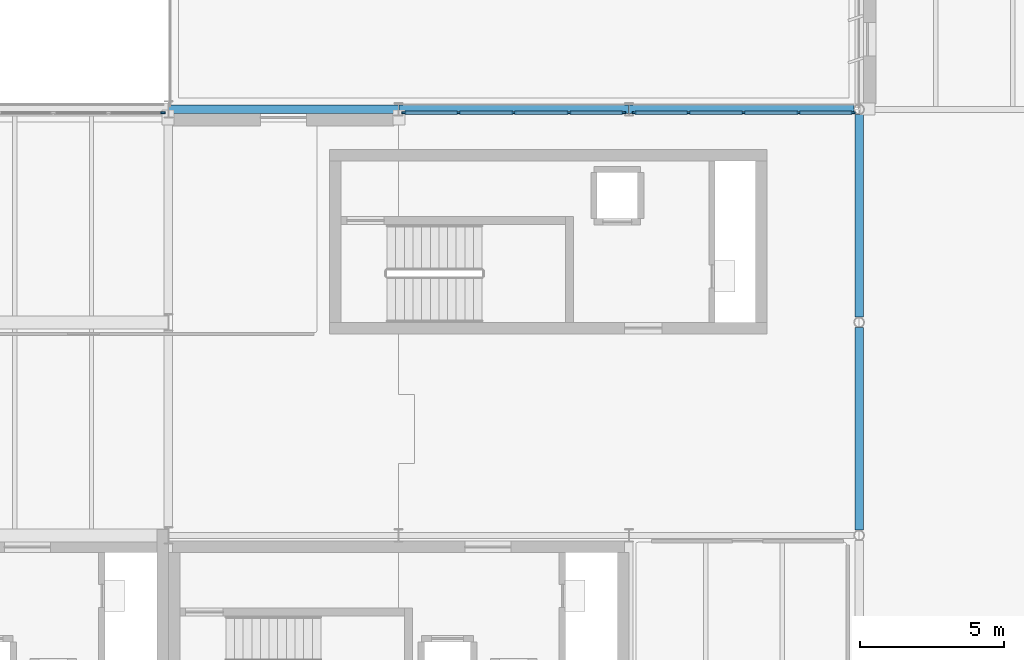
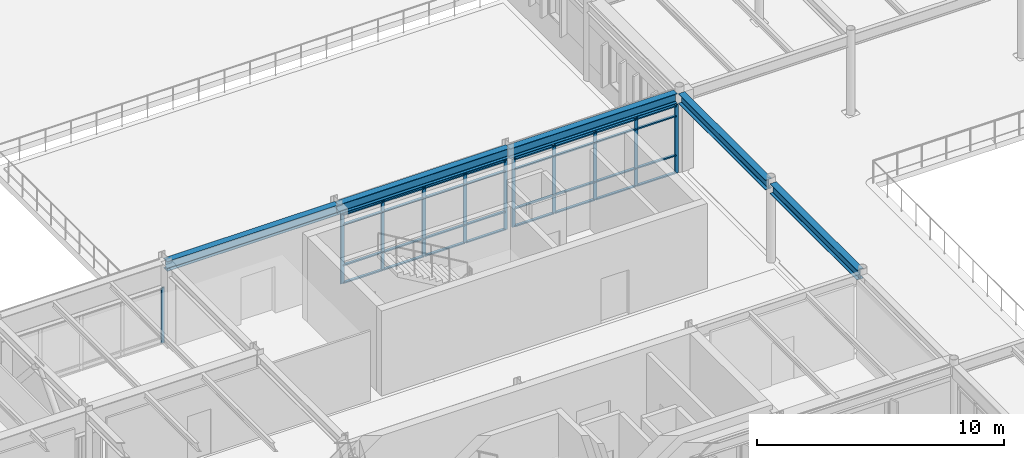
# One storey, part 19 of 63: 43 members, 5 beams, 3 elements without a shape of their own.
"""IFC4 building model written with IfcOpenShell, lengths in metres."""

from ifc_helpers import new_model, si_unit, direction, frame, origin, origin_2d, place, context, subcontext, project, spatial, rectangle, i_section, extrude, material, layer, layer_set, material_profile, profile_set, type_object, element, aggregate, save


model = new_model("IFC4")

# Units and contexts
model_context = context("Model", 3, precision=1e-05, world=origin(), true_north=direction((0.0, 1.0)))
body_context = subcontext(model_context, "Body", "Model", "MODEL_VIEW")
ifc_project = project(units=[si_unit("LENGTHUNIT", "METRE"), si_unit("AREAUNIT", "SQUARE_METRE"), si_unit("VOLUMEUNIT", "CUBIC_METRE"), si_unit("PLANEANGLEUNIT", "RADIAN"), si_unit("MASSUNIT", "GRAM", prefix="KILO")], contexts=[model_context])

# Site, building, storey
site_placement = place(None, origin())
site = spatial("IfcSite", under=ifc_project, at=site_placement, CompositionType="ELEMENT")
building_placement = place(site_placement, origin())
building = spatial("IfcBuilding", under=site, at=building_placement, Name="Valkorina Park Police Headquarters", CompositionType="ELEMENT")
storey_placement = place(building_placement, frame((0.0, 0.0, 9.89990234375)))
storey = spatial("IfcBuildingStorey", under=building, at=storey_placement, Name="L03", CompositionType="ELEMENT", Elevation=9.89990234375)

# Beams
ifc_material_1 = material(Name="Steel S355", Category="steel")
ifc_material_profile_1 = material_profile(ifc_material_1, i_section(OverallWidth=0.300048828125, OverallDepth=0.489990234375, WebThickness=0.011962890625, FlangeThickness=0.02294921875, FilletRadius=0.027099609375, at=origin_2d()), Name="HEA 500")
ifc_profile_set_1 = profile_set([ifc_material_profile_1], Name="Steel S355")
beam_type_1 = type_object("IfcBeamType", Name="BM-S355-HEA500-BM", PredefinedType="BEAM", material=ifc_profile_set_1)
for number, where, z_axis, x_axis, name in (
    (1, (56.800048828125, 44.577880859375, 3.710205078125), (0.0, 1.0, 0.0), (-1.0, 0.0, 0.0), "L03 Framing Beam 2000"),
    (2, (56.800048828125, 51.977783203125, 3.675048828125), (0.0, 1.0, 0.0), (-1.0, 0.0, 0.0), "L03 Framing Beam 2001"),
):
    element("IfcBeam", number, at=place(storey_placement, frame(where, z_axis=z_axis, x_axis=x_axis)), inside=storey, type_object=beam_type_1, Name=name, PredefinedType="BEAM", context=body_context, shape_type="SweptSolid", body=[
        extrude(i_section(OverallWidth=0.300048828125, OverallDepth=0.489990234375, WebThickness=0.011962890625, FlangeThickness=0.02294921875, FilletRadius=0.027099609375, at=origin_2d()), origin(), (0.0, 0.0, 1.0), 7.04443359375),
    ])
ifc_material_profile_2 = material_profile(ifc_material_1, i_section(OverallWidth=0.300048828125, OverallDepth=0.489990234375, WebThickness=0.011962890625, FlangeThickness=0.02294921875, FilletRadius=0.027099609375, at=origin_2d()), Name="HEA 500")
ifc_profile_set_2 = profile_set([ifc_material_profile_2], Name="Steel S355")
beam_type_2 = type_object("IfcBeamType", Name="BM-S355-HEA500-SPN", PredefinedType="SPANDREL", material=ifc_profile_set_2)
beam_1_placement = place(storey_placement, frame((32.8076171875, 59.199951171875, 3.710205078125), z_axis=(1.0, 0.0, 0.0), x_axis=(0.0, 1.0, 0.0)))
element("IfcBeam", 3, at=beam_1_placement, inside=storey, type_object=beam_type_2, Name="L03 Framing Beam 1901", PredefinedType="SPANDREL", context=body_context, shape_type="SweptSolid", body=[
    extrude(i_section(OverallWidth=0.300048828125, OverallDepth=0.489990234375, WebThickness=0.011962890625, FlangeThickness=0.02294921875, FilletRadius=0.027099609375, at=origin_2d()), origin(), (0.0, 0.0, 1.0), 7.9853515625),
])
beam_2_placement = place(storey_placement, frame((40.806884765625, 59.199951171875, 3.710205078125), z_axis=(1.0, 0.0, 0.0), x_axis=(0.0, 1.0, 0.0)))
element("IfcBeam", 4, at=beam_2_placement, inside=storey, type_object=beam_type_2, Name="L03 Framing Beam 1902", PredefinedType="SPANDREL", context=body_context, shape_type="SweptSolid", body=[
    extrude(i_section(OverallWidth=0.300048828125, OverallDepth=0.489990234375, WebThickness=0.011962890625, FlangeThickness=0.02294921875, FilletRadius=0.027099609375, at=origin_2d()), origin(), (0.0, 0.0, 1.0), 7.986083984375),
])
beam_3_placement = place(storey_placement, frame((48.806884765625, 59.199951171875, 3.675048828125), z_axis=(1.0, 0.0, 0.0), x_axis=(0.0, 1.0, 0.0)))
element("IfcBeam", 5, at=beam_3_placement, inside=storey, type_object=beam_type_2, Name="L03 Framing Beam 1903", PredefinedType="SPANDREL", context=body_context, shape_type="SweptSolid", body=[
    extrude(i_section(OverallWidth=0.300048828125, OverallDepth=0.489990234375, WebThickness=0.011962890625, FlangeThickness=0.02294921875, FilletRadius=0.027099609375, at=origin_2d()), origin(), (0.0, 0.0, 1.0), 7.8154296875),
])

# Curtain wall, member
ifc_material_2 = material(Name="Thermally broken aluminium AW-6060", Category="aluminium")
ifc_layer_1 = layer(ifc_material_2, 0.18994140625)
ifc_layer_set_1 = layer_set([ifc_layer_1], Name="Thermally broken aluminium AW-6060")
curtain_wall_type_1 = type_object("IfcCurtainWallType", Name="CW-COURT-7680x2740", PredefinedType="NOTDEFINED", material=ifc_layer_set_1)
curtain_wall_1_placement = place(storey_placement, origin())
curtain_wall_1 = element("IfcCurtainWall", 6, at=curtain_wall_1_placement, inside=storey, type_object=curtain_wall_type_1, Name="L03 Unitised Curtain Wall 017", PredefinedType="NOTDEFINED")
ifc_material_profile_3 = material_profile(ifc_material_2, rectangle(XDim=0.06005859375, YDim=0.159912109375, at=origin_2d()), Name="CWM-01 60x160")
ifc_profile_set_3 = profile_set([ifc_material_profile_3], Name="Thermally broken aluminium AW-6060")
member_type_1 = type_object("IfcMemberType", Name="CWM-60x160", PredefinedType="MULLION", material=ifc_profile_set_3)
member_1_placement = place(storey_placement, frame((32.610107421875, 59.080078125, 0.0), z_axis=(0.0, 0.0, 1.0), x_axis=(0.0, 1.0, 0.0)))
member_1 = element("IfcMember", 7, at=member_1_placement, type_object=member_type_1, Name="CW-COURT-768-274 mullion 5", PredefinedType="MULLION", context=body_context, shape_type="SweptSolid", body=[
    extrude(rectangle(XDim=0.06005859375, YDim=0.159912109375, at=origin_2d()), origin(), (0.0, 0.0, 1.0), 2.7451171875),
])
aggregate(curtain_wall_1, [member_1])

# Curtain wall, members
ifc_layer_2 = layer(ifc_material_2, 0.18994140625)
ifc_layer_set_2 = layer_set([ifc_layer_2], Name="Thermally broken aluminium AW-6060")
curtain_wall_type_2 = type_object("IfcCurtainWallType", Name="CW-COURT-7680x3420", PredefinedType="NOTDEFINED", material=ifc_layer_set_2)
curtain_wall_2_placement = place(storey_placement, origin())
curtain_wall_2 = element("IfcCurtainWall", 8, at=curtain_wall_2_placement, inside=storey, type_object=curtain_wall_type_2, Name="L03 Unitised Curtain Wall 018", PredefinedType="NOTDEFINED")
member_2_placement = place(storey_placement, frame((40.989990234375, 59.080078125, 0.0), z_axis=(0.0, 0.0, 1.0), x_axis=(0.0, 1.0, 0.0)))
member_2 = element("IfcMember", 9, at=member_2_placement, type_object=member_type_1, Name="CW-COURT-768-342 mullion 1", PredefinedType="MULLION", context=body_context, shape_type="SweptSolid", body=[
    extrude(rectangle(XDim=0.06005859375, YDim=0.159912109375, at=origin_2d()), origin(), (0.0, 0.0, 1.0), 3.420166015625),
])
member_3_placement = place(storey_placement, frame((42.8798828125, 59.080078125, 0.0), z_axis=(0.0, 0.0, 1.0), x_axis=(0.0, 1.0, 0.0)))
member_3 = element("IfcMember", 10, at=member_3_placement, type_object=member_type_1, Name="CW-COURT-768-342 mullion 2", PredefinedType="MULLION", context=body_context, shape_type="SweptSolid", body=[
    extrude(rectangle(XDim=0.06005859375, YDim=0.159912109375, at=origin_2d()), origin(), (0.0, 0.0, 1.0), 3.420166015625),
])
member_4_placement = place(storey_placement, frame((44.800048828125, 59.080078125, 0.0), z_axis=(0.0, 0.0, 1.0), x_axis=(0.0, 1.0, 0.0)))
member_4 = element("IfcMember", 11, at=member_4_placement, type_object=member_type_1, Name="CW-COURT-768-342 mullion 3", PredefinedType="MULLION", context=body_context, shape_type="SweptSolid", body=[
    extrude(rectangle(XDim=0.06005859375, YDim=0.159912109375, at=origin_2d()), origin(), (0.0, 0.0, 1.0), 3.420166015625),
])
member_5_placement = place(storey_placement, frame((46.719970703125, 59.080078125, 0.0), z_axis=(0.0, 0.0, 1.0), x_axis=(0.0, 1.0, 0.0)))
member_5 = element("IfcMember", 12, at=member_5_placement, type_object=member_type_1, Name="CW-COURT-768-342 mullion 4", PredefinedType="MULLION", context=body_context, shape_type="SweptSolid", body=[
    extrude(rectangle(XDim=0.06005859375, YDim=0.159912109375, at=origin_2d()), origin(), (0.0, 0.0, 1.0), 3.420166015625),
])
member_6_placement = place(storey_placement, frame((48.610107421875, 59.080078125, 0.0), z_axis=(0.0, 0.0, 1.0), x_axis=(0.0, 1.0, 0.0)))
member_6 = element("IfcMember", 13, at=member_6_placement, type_object=member_type_1, Name="CW-COURT-768-342 mullion 5", PredefinedType="MULLION", context=body_context, shape_type="SweptSolid", body=[
    extrude(rectangle(XDim=0.06005859375, YDim=0.159912109375, at=origin_2d()), origin(), (0.0, 0.0, 1.0), 3.420166015625),
])

ifc_layer_3 = layer(ifc_material_2, 0.18994140625)
ifc_layer_set_3 = layer_set([ifc_layer_3], Name="Thermally broken aluminium AW-6060")
curtain_wall_type_3 = type_object("IfcCurtainWallType", Name="CW-COURT-7650x3360", PredefinedType="NOTDEFINED", material=ifc_layer_set_3)
curtain_wall_3_placement = place(storey_placement, origin())
curtain_wall_3 = element("IfcCurtainWall", 14, at=curtain_wall_3_placement, inside=storey, type_object=curtain_wall_type_3, Name="L03 Unitised Curtain Wall 019", PredefinedType="NOTDEFINED")
member_7_placement = place(storey_placement, frame((48.989990234375, 59.080078125, 0.0), z_axis=(0.0, 0.0, 1.0), x_axis=(0.0, 1.0, 0.0)))
member_7 = element("IfcMember", 15, at=member_7_placement, type_object=member_type_1, Name="CW-COURT-765-336 mullion 1", PredefinedType="MULLION", context=body_context, shape_type="SweptSolid", body=[
    extrude(rectangle(XDim=0.06005859375, YDim=0.159912109375, at=origin_2d()), origin(), (0.0, 0.0, 1.0), 3.360107421875),
])
member_8_placement = place(storey_placement, frame((50.873046875, 59.080078125, 0.0), z_axis=(0.0, 0.0, 1.0), x_axis=(0.0, 1.0, 0.0)))
member_8 = element("IfcMember", 16, at=member_8_placement, type_object=member_type_1, Name="CW-COURT-765-336 mullion 2", PredefinedType="MULLION", context=body_context, shape_type="SweptSolid", body=[
    extrude(rectangle(XDim=0.06005859375, YDim=0.159912109375, at=origin_2d()), origin(), (0.0, 0.0, 1.0), 3.360107421875),
])
member_9_placement = place(storey_placement, frame((52.7861328125, 59.080078125, 0.0), z_axis=(0.0, 0.0, 1.0), x_axis=(0.0, 1.0, 0.0)))
member_9 = element("IfcMember", 17, at=member_9_placement, type_object=member_type_1, Name="CW-COURT-765-336 mullion 3", PredefinedType="MULLION", context=body_context, shape_type="SweptSolid", body=[
    extrude(rectangle(XDim=0.06005859375, YDim=0.159912109375, at=origin_2d()), origin(), (0.0, 0.0, 1.0), 3.360107421875),
])
member_10_placement = place(storey_placement, frame((54.69921875, 59.080078125, 0.0), z_axis=(0.0, 0.0, 1.0), x_axis=(0.0, 1.0, 0.0)))
member_10 = element("IfcMember", 18, at=member_10_placement, type_object=member_type_1, Name="CW-COURT-765-336 mullion 4", PredefinedType="MULLION", context=body_context, shape_type="SweptSolid", body=[
    extrude(rectangle(XDim=0.06005859375, YDim=0.159912109375, at=origin_2d()), origin(), (0.0, 0.0, 1.0), 3.360107421875),
])
member_11_placement = place(storey_placement, frame((56.582275390625, 59.080078125, 0.0), z_axis=(0.0, 0.0, 1.0), x_axis=(0.0, 1.0, 0.0)))
member_11 = element("IfcMember", 19, at=member_11_placement, type_object=member_type_1, Name="CW-COURT-765-336 mullion 5", PredefinedType="MULLION", context=body_context, shape_type="SweptSolid", body=[
    extrude(rectangle(XDim=0.06005859375, YDim=0.159912109375, at=origin_2d()), origin(), (0.0, 0.0, 1.0), 3.360107421875),
])

# Member
ifc_material_profile_4 = material_profile(ifc_material_2, rectangle(XDim=0.1201171875, YDim=0.06005859375, at=origin_2d()), Name="CWT-01 120x60")
ifc_profile_set_4 = profile_set([ifc_material_profile_4], Name="Thermally broken aluminium AW-6060")
member_type_2 = type_object("IfcMemberType", Name="CWT-120x60", PredefinedType="USERDEFINED", material=ifc_profile_set_4)
member_12_placement = place(storey_placement, frame((41.02001953125, 59.080078125, 0.030029296875), z_axis=(1.0, 0.0, 0.0), x_axis=(0.0, 1.0, 0.0)))
member_12 = element("IfcMember", 20, at=member_12_placement, type_object=member_type_2, Name="CW-COURT-768-342 transom 1.1", ObjectType="TRANSOM", PredefinedType="USERDEFINED", context=body_context, shape_type="SweptSolid", body=[
    extrude(rectangle(XDim=0.1201171875, YDim=0.06005859375, at=origin_2d()), origin(), (0.0, 0.0, 1.0), 1.830078125),
])

member_13_placement = place(storey_placement, frame((41.02001953125, 59.080078125, 0.900146484375), z_axis=(1.0, 0.0, 0.0), x_axis=(0.0, 1.0, 0.0)))
member_13 = element("IfcMember", 21, at=member_13_placement, type_object=member_type_2, Name="CW-COURT-768-342 transom 1.2", ObjectType="TRANSOM", PredefinedType="USERDEFINED", context=body_context, shape_type="SweptSolid", body=[
    extrude(rectangle(XDim=0.1201171875, YDim=0.06005859375, at=origin_2d()), origin(), (0.0, 0.0, 1.0), 1.830078125),
])

member_14_placement = place(storey_placement, frame((41.02001953125, 59.080078125, 2.900146484375), z_axis=(1.0, 0.0, 0.0), x_axis=(0.0, 1.0, 0.0)))
member_14 = element("IfcMember", 22, at=member_14_placement, type_object=member_type_2, Name="CW-COURT-768-342 transom 1.3", ObjectType="TRANSOM", PredefinedType="USERDEFINED", context=body_context, shape_type="SweptSolid", body=[
    extrude(rectangle(XDim=0.1201171875, YDim=0.06005859375, at=origin_2d()), origin(), (0.0, 0.0, 1.0), 1.830078125),
])

member_15_placement = place(storey_placement, frame((41.02001953125, 59.080078125, 3.39013671875), z_axis=(1.0, 0.0, 0.0), x_axis=(0.0, 1.0, 0.0)))
member_15 = element("IfcMember", 23, at=member_15_placement, type_object=member_type_2, Name="CW-COURT-768-342 transom 1.4", ObjectType="TRANSOM", PredefinedType="USERDEFINED", context=body_context, shape_type="SweptSolid", body=[
    extrude(rectangle(XDim=0.1201171875, YDim=0.06005859375, at=origin_2d()), origin(), (0.0, 0.0, 1.0), 1.830078125),
])

member_16_placement = place(storey_placement, frame((42.909912109375, 59.080078125, 0.030029296875), z_axis=(1.0, 0.0, 0.0), x_axis=(0.0, 1.0, 0.0)))
member_16 = element("IfcMember", 24, at=member_16_placement, type_object=member_type_2, Name="CW-COURT-768-342 transom 2.1", ObjectType="TRANSOM", PredefinedType="USERDEFINED", context=body_context, shape_type="SweptSolid", body=[
    extrude(rectangle(XDim=0.1201171875, YDim=0.06005859375, at=origin_2d()), origin(), (0.0, 0.0, 1.0), 1.860107421875),
])

member_17_placement = place(storey_placement, frame((42.909912109375, 59.080078125, 0.900146484375), z_axis=(1.0, 0.0, 0.0), x_axis=(0.0, 1.0, 0.0)))
member_17 = element("IfcMember", 25, at=member_17_placement, type_object=member_type_2, Name="CW-COURT-768-342 transom 2.2", ObjectType="TRANSOM", PredefinedType="USERDEFINED", context=body_context, shape_type="SweptSolid", body=[
    extrude(rectangle(XDim=0.1201171875, YDim=0.06005859375, at=origin_2d()), origin(), (0.0, 0.0, 1.0), 1.860107421875),
])

member_18_placement = place(storey_placement, frame((42.909912109375, 59.080078125, 2.900146484375), z_axis=(1.0, 0.0, 0.0), x_axis=(0.0, 1.0, 0.0)))
member_18 = element("IfcMember", 26, at=member_18_placement, type_object=member_type_2, Name="CW-COURT-768-342 transom 2.3", ObjectType="TRANSOM", PredefinedType="USERDEFINED", context=body_context, shape_type="SweptSolid", body=[
    extrude(rectangle(XDim=0.1201171875, YDim=0.06005859375, at=origin_2d()), origin(), (0.0, 0.0, 1.0), 1.860107421875),
])

member_19_placement = place(storey_placement, frame((42.909912109375, 59.080078125, 3.39013671875), z_axis=(1.0, 0.0, 0.0), x_axis=(0.0, 1.0, 0.0)))
member_19 = element("IfcMember", 27, at=member_19_placement, type_object=member_type_2, Name="CW-COURT-768-342 transom 2.4", ObjectType="TRANSOM", PredefinedType="USERDEFINED", context=body_context, shape_type="SweptSolid", body=[
    extrude(rectangle(XDim=0.1201171875, YDim=0.06005859375, at=origin_2d()), origin(), (0.0, 0.0, 1.0), 1.860107421875),
])

member_20_placement = place(storey_placement, frame((44.830078125, 59.080078125, 0.030029296875), z_axis=(1.0, 0.0, 0.0), x_axis=(0.0, 1.0, 0.0)))
member_20 = element("IfcMember", 28, at=member_20_placement, type_object=member_type_2, Name="CW-COURT-768-342 transom 3.1", ObjectType="TRANSOM", PredefinedType="USERDEFINED", context=body_context, shape_type="SweptSolid", body=[
    extrude(rectangle(XDim=0.1201171875, YDim=0.06005859375, at=origin_2d()), origin(), (0.0, 0.0, 1.0), 1.85986328125),
])

member_21_placement = place(storey_placement, frame((44.830078125, 59.080078125, 0.900146484375), z_axis=(1.0, 0.0, 0.0), x_axis=(0.0, 1.0, 0.0)))
member_21 = element("IfcMember", 29, at=member_21_placement, type_object=member_type_2, Name="CW-COURT-768-342 transom 3.2", ObjectType="TRANSOM", PredefinedType="USERDEFINED", context=body_context, shape_type="SweptSolid", body=[
    extrude(rectangle(XDim=0.1201171875, YDim=0.06005859375, at=origin_2d()), origin(), (0.0, 0.0, 1.0), 1.85986328125),
])

member_22_placement = place(storey_placement, frame((44.830078125, 59.080078125, 2.900146484375), z_axis=(1.0, 0.0, 0.0), x_axis=(0.0, 1.0, 0.0)))
member_22 = element("IfcMember", 30, at=member_22_placement, type_object=member_type_2, Name="CW-COURT-768-342 transom 3.3", ObjectType="TRANSOM", PredefinedType="USERDEFINED", context=body_context, shape_type="SweptSolid", body=[
    extrude(rectangle(XDim=0.1201171875, YDim=0.06005859375, at=origin_2d()), origin(), (0.0, 0.0, 1.0), 1.85986328125),
])

member_23_placement = place(storey_placement, frame((44.830078125, 59.080078125, 3.39013671875), z_axis=(1.0, 0.0, 0.0), x_axis=(0.0, 1.0, 0.0)))
member_23 = element("IfcMember", 31, at=member_23_placement, type_object=member_type_2, Name="CW-COURT-768-342 transom 3.4", ObjectType="TRANSOM", PredefinedType="USERDEFINED", context=body_context, shape_type="SweptSolid", body=[
    extrude(rectangle(XDim=0.1201171875, YDim=0.06005859375, at=origin_2d()), origin(), (0.0, 0.0, 1.0), 1.85986328125),
])

member_24_placement = place(storey_placement, frame((46.75, 59.080078125, 0.030029296875), z_axis=(1.0, 0.0, 0.0), x_axis=(0.0, 1.0, 0.0)))
member_24 = element("IfcMember", 32, at=member_24_placement, type_object=member_type_2, Name="CW-COURT-768-342 transom 4.1", ObjectType="TRANSOM", PredefinedType="USERDEFINED", context=body_context, shape_type="SweptSolid", body=[
    extrude(rectangle(XDim=0.1201171875, YDim=0.06005859375, at=origin_2d()), origin(), (0.0, 0.0, 1.0), 1.830078125),
])

member_25_placement = place(storey_placement, frame((46.75, 59.080078125, 0.900146484375), z_axis=(1.0, 0.0, 0.0), x_axis=(0.0, 1.0, 0.0)))
member_25 = element("IfcMember", 33, at=member_25_placement, type_object=member_type_2, Name="CW-COURT-768-342 transom 4.2", ObjectType="TRANSOM", PredefinedType="USERDEFINED", context=body_context, shape_type="SweptSolid", body=[
    extrude(rectangle(XDim=0.1201171875, YDim=0.06005859375, at=origin_2d()), origin(), (0.0, 0.0, 1.0), 1.830078125),
])

member_26_placement = place(storey_placement, frame((46.75, 59.080078125, 2.900146484375), z_axis=(1.0, 0.0, 0.0), x_axis=(0.0, 1.0, 0.0)))
member_26 = element("IfcMember", 34, at=member_26_placement, type_object=member_type_2, Name="CW-COURT-768-342 transom 4.3", ObjectType="TRANSOM", PredefinedType="USERDEFINED", context=body_context, shape_type="SweptSolid", body=[
    extrude(rectangle(XDim=0.1201171875, YDim=0.06005859375, at=origin_2d()), origin(), (0.0, 0.0, 1.0), 1.830078125),
])

member_27_placement = place(storey_placement, frame((46.75, 59.080078125, 3.39013671875), z_axis=(1.0, 0.0, 0.0), x_axis=(0.0, 1.0, 0.0)))
member_27 = element("IfcMember", 35, at=member_27_placement, type_object=member_type_2, Name="CW-COURT-768-342 transom 4.4", ObjectType="TRANSOM", PredefinedType="USERDEFINED", context=body_context, shape_type="SweptSolid", body=[
    extrude(rectangle(XDim=0.1201171875, YDim=0.06005859375, at=origin_2d()), origin(), (0.0, 0.0, 1.0), 1.830078125),
])

aggregate(curtain_wall_2, [member_2, member_3, member_4, member_5, member_6, member_12, member_13, member_14, member_15, member_16, member_17, member_18, member_19, member_20, member_21, member_22, member_23, member_24, member_25, member_26, member_27])

member_28_placement = place(storey_placement, frame((49.02001953125, 59.080078125, 0.030029296875), z_axis=(1.0, 0.0, 0.0), x_axis=(0.0, 1.0, 0.0)))
member_28 = element("IfcMember", 36, at=member_28_placement, type_object=member_type_2, Name="CW-COURT-765-336 transom 1.1", ObjectType="TRANSOM", PredefinedType="USERDEFINED", context=body_context, shape_type="SweptSolid", body=[
    extrude(rectangle(XDim=0.1201171875, YDim=0.06005859375, at=origin_2d()), origin(), (0.0, 0.0, 1.0), 1.822998046875),
])

member_29_placement = place(storey_placement, frame((49.02001953125, 59.080078125, 0.900146484375), z_axis=(1.0, 0.0, 0.0), x_axis=(0.0, 1.0, 0.0)))
member_29 = element("IfcMember", 37, at=member_29_placement, type_object=member_type_2, Name="CW-COURT-765-336 transom 1.2", ObjectType="TRANSOM", PredefinedType="USERDEFINED", context=body_context, shape_type="SweptSolid", body=[
    extrude(rectangle(XDim=0.1201171875, YDim=0.06005859375, at=origin_2d()), origin(), (0.0, 0.0, 1.0), 1.822998046875),
])

member_30_placement = place(storey_placement, frame((49.02001953125, 59.080078125, 2.840087890625), z_axis=(1.0, 0.0, 0.0), x_axis=(0.0, 1.0, 0.0)))
member_30 = element("IfcMember", 38, at=member_30_placement, type_object=member_type_2, Name="CW-COURT-765-336 transom 1.3", ObjectType="TRANSOM", PredefinedType="USERDEFINED", context=body_context, shape_type="SweptSolid", body=[
    extrude(rectangle(XDim=0.1201171875, YDim=0.06005859375, at=origin_2d()), origin(), (0.0, 0.0, 1.0), 1.822998046875),
])

member_31_placement = place(storey_placement, frame((49.02001953125, 59.080078125, 3.330078125), z_axis=(1.0, 0.0, 0.0), x_axis=(0.0, 1.0, 0.0)))
member_31 = element("IfcMember", 39, at=member_31_placement, type_object=member_type_2, Name="CW-COURT-765-336 transom 1.4", ObjectType="TRANSOM", PredefinedType="USERDEFINED", context=body_context, shape_type="SweptSolid", body=[
    extrude(rectangle(XDim=0.1201171875, YDim=0.06005859375, at=origin_2d()), origin(), (0.0, 0.0, 1.0), 1.822998046875),
])

member_32_placement = place(storey_placement, frame((50.903076171875, 59.080078125, 0.030029296875), z_axis=(1.0, 0.0, 0.0), x_axis=(0.0, 1.0, 0.0)))
member_32 = element("IfcMember", 40, at=member_32_placement, type_object=member_type_2, Name="CW-COURT-765-336 transom 2.1", ObjectType="TRANSOM", PredefinedType="USERDEFINED", context=body_context, shape_type="SweptSolid", body=[
    extrude(rectangle(XDim=0.1201171875, YDim=0.06005859375, at=origin_2d()), origin(), (0.0, 0.0, 1.0), 1.85302734375),
])

member_33_placement = place(storey_placement, frame((50.903076171875, 59.080078125, 0.900146484375), z_axis=(1.0, 0.0, 0.0), x_axis=(0.0, 1.0, 0.0)))
member_33 = element("IfcMember", 41, at=member_33_placement, type_object=member_type_2, Name="CW-COURT-765-336 transom 2.2", ObjectType="TRANSOM", PredefinedType="USERDEFINED", context=body_context, shape_type="SweptSolid", body=[
    extrude(rectangle(XDim=0.1201171875, YDim=0.06005859375, at=origin_2d()), origin(), (0.0, 0.0, 1.0), 1.85302734375),
])

member_34_placement = place(storey_placement, frame((50.903076171875, 59.080078125, 2.840087890625), z_axis=(1.0, 0.0, 0.0), x_axis=(0.0, 1.0, 0.0)))
member_34 = element("IfcMember", 42, at=member_34_placement, type_object=member_type_2, Name="CW-COURT-765-336 transom 2.3", ObjectType="TRANSOM", PredefinedType="USERDEFINED", context=body_context, shape_type="SweptSolid", body=[
    extrude(rectangle(XDim=0.1201171875, YDim=0.06005859375, at=origin_2d()), origin(), (0.0, 0.0, 1.0), 1.85302734375),
])

member_35_placement = place(storey_placement, frame((50.903076171875, 59.080078125, 3.330078125), z_axis=(1.0, 0.0, 0.0), x_axis=(0.0, 1.0, 0.0)))
member_35 = element("IfcMember", 43, at=member_35_placement, type_object=member_type_2, Name="CW-COURT-765-336 transom 2.4", ObjectType="TRANSOM", PredefinedType="USERDEFINED", context=body_context, shape_type="SweptSolid", body=[
    extrude(rectangle(XDim=0.1201171875, YDim=0.06005859375, at=origin_2d()), origin(), (0.0, 0.0, 1.0), 1.85302734375),
])

member_36_placement = place(storey_placement, frame((52.816162109375, 59.080078125, 0.030029296875), z_axis=(1.0, 0.0, 0.0), x_axis=(0.0, 1.0, 0.0)))
member_36 = element("IfcMember", 44, at=member_36_placement, type_object=member_type_2, Name="CW-COURT-765-336 transom 3.1", ObjectType="TRANSOM", PredefinedType="USERDEFINED", context=body_context, shape_type="SweptSolid", body=[
    extrude(rectangle(XDim=0.1201171875, YDim=0.06005859375, at=origin_2d()), origin(), (0.0, 0.0, 1.0), 1.85302734375),
])

member_37_placement = place(storey_placement, frame((52.816162109375, 59.080078125, 0.900146484375), z_axis=(1.0, 0.0, 0.0), x_axis=(0.0, 1.0, 0.0)))
member_37 = element("IfcMember", 45, at=member_37_placement, type_object=member_type_2, Name="CW-COURT-765-336 transom 3.2", ObjectType="TRANSOM", PredefinedType="USERDEFINED", context=body_context, shape_type="SweptSolid", body=[
    extrude(rectangle(XDim=0.1201171875, YDim=0.06005859375, at=origin_2d()), origin(), (0.0, 0.0, 1.0), 1.85302734375),
])

member_38_placement = place(storey_placement, frame((52.816162109375, 59.080078125, 2.840087890625), z_axis=(1.0, 0.0, 0.0), x_axis=(0.0, 1.0, 0.0)))
member_38 = element("IfcMember", 46, at=member_38_placement, type_object=member_type_2, Name="CW-COURT-765-336 transom 3.3", ObjectType="TRANSOM", PredefinedType="USERDEFINED", context=body_context, shape_type="SweptSolid", body=[
    extrude(rectangle(XDim=0.1201171875, YDim=0.06005859375, at=origin_2d()), origin(), (0.0, 0.0, 1.0), 1.85302734375),
])

member_39_placement = place(storey_placement, frame((52.816162109375, 59.080078125, 3.330078125), z_axis=(1.0, 0.0, 0.0), x_axis=(0.0, 1.0, 0.0)))
member_39 = element("IfcMember", 47, at=member_39_placement, type_object=member_type_2, Name="CW-COURT-765-336 transom 3.4", ObjectType="TRANSOM", PredefinedType="USERDEFINED", context=body_context, shape_type="SweptSolid", body=[
    extrude(rectangle(XDim=0.1201171875, YDim=0.06005859375, at=origin_2d()), origin(), (0.0, 0.0, 1.0), 1.85302734375),
])

member_40_placement = place(storey_placement, frame((54.729248046875, 59.080078125, 0.030029296875), z_axis=(1.0, 0.0, 0.0), x_axis=(0.0, 1.0, 0.0)))
member_40 = element("IfcMember", 48, at=member_40_placement, type_object=member_type_2, Name="CW-COURT-765-336 transom 4.1", ObjectType="TRANSOM", PredefinedType="USERDEFINED", context=body_context, shape_type="SweptSolid", body=[
    extrude(rectangle(XDim=0.1201171875, YDim=0.06005859375, at=origin_2d()), origin(), (0.0, 0.0, 1.0), 1.822998046875),
])

member_41_placement = place(storey_placement, frame((54.729248046875, 59.080078125, 0.900146484375), z_axis=(1.0, 0.0, 0.0), x_axis=(0.0, 1.0, 0.0)))
member_41 = element("IfcMember", 49, at=member_41_placement, type_object=member_type_2, Name="CW-COURT-765-336 transom 4.2", ObjectType="TRANSOM", PredefinedType="USERDEFINED", context=body_context, shape_type="SweptSolid", body=[
    extrude(rectangle(XDim=0.1201171875, YDim=0.06005859375, at=origin_2d()), origin(), (0.0, 0.0, 1.0), 1.822998046875),
])

member_42_placement = place(storey_placement, frame((54.729248046875, 59.080078125, 2.840087890625), z_axis=(1.0, 0.0, 0.0), x_axis=(0.0, 1.0, 0.0)))
member_42 = element("IfcMember", 50, at=member_42_placement, type_object=member_type_2, Name="CW-COURT-765-336 transom 4.3", ObjectType="TRANSOM", PredefinedType="USERDEFINED", context=body_context, shape_type="SweptSolid", body=[
    extrude(rectangle(XDim=0.1201171875, YDim=0.06005859375, at=origin_2d()), origin(), (0.0, 0.0, 1.0), 1.822998046875),
])

member_43_placement = place(storey_placement, frame((54.729248046875, 59.080078125, 3.330078125), z_axis=(1.0, 0.0, 0.0), x_axis=(0.0, 1.0, 0.0)))
member_43 = element("IfcMember", 51, at=member_43_placement, type_object=member_type_2, Name="CW-COURT-765-336 transom 4.4", ObjectType="TRANSOM", PredefinedType="USERDEFINED", context=body_context, shape_type="SweptSolid", body=[
    extrude(rectangle(XDim=0.1201171875, YDim=0.06005859375, at=origin_2d()), origin(), (0.0, 0.0, 1.0), 1.822998046875),
])

aggregate(curtain_wall_3, [member_7, member_8, member_9, member_10, member_11, member_28, member_29, member_30, member_31, member_32, member_33, member_34, member_35, member_36, member_37, member_38, member_39, member_40, member_41, member_42, member_43])

save(model, "model.ifc")
